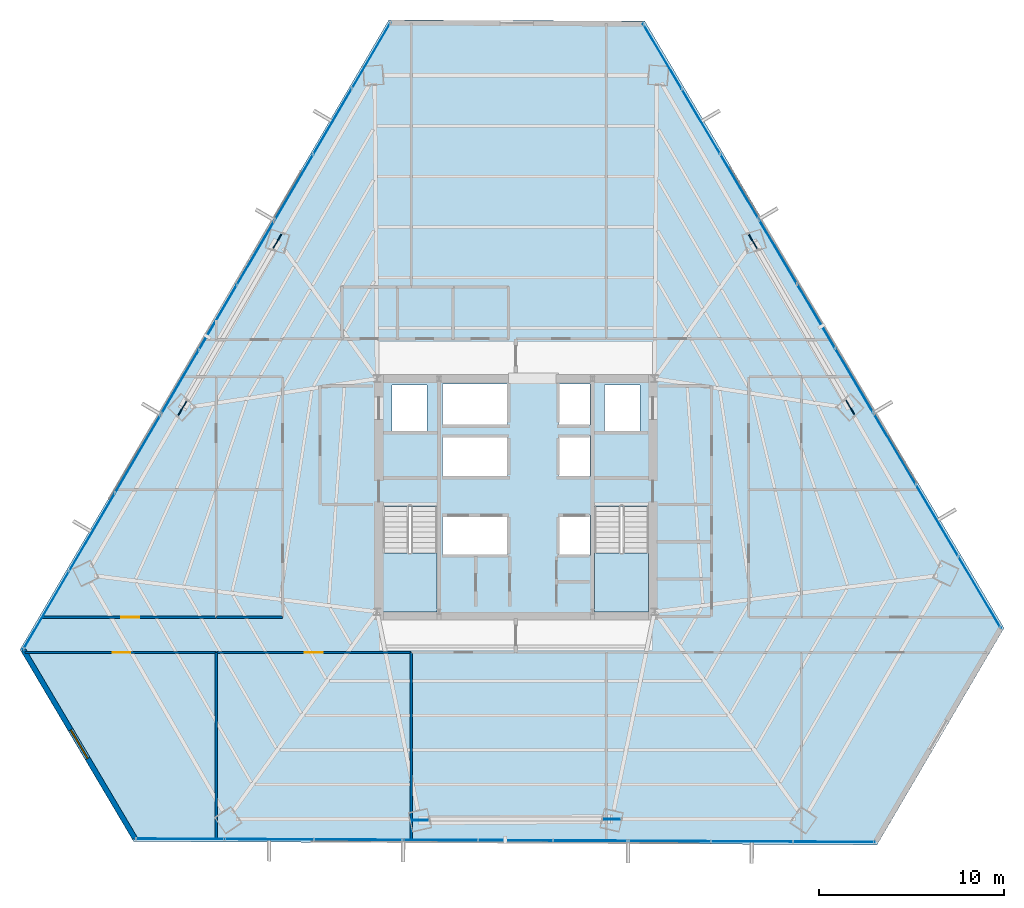
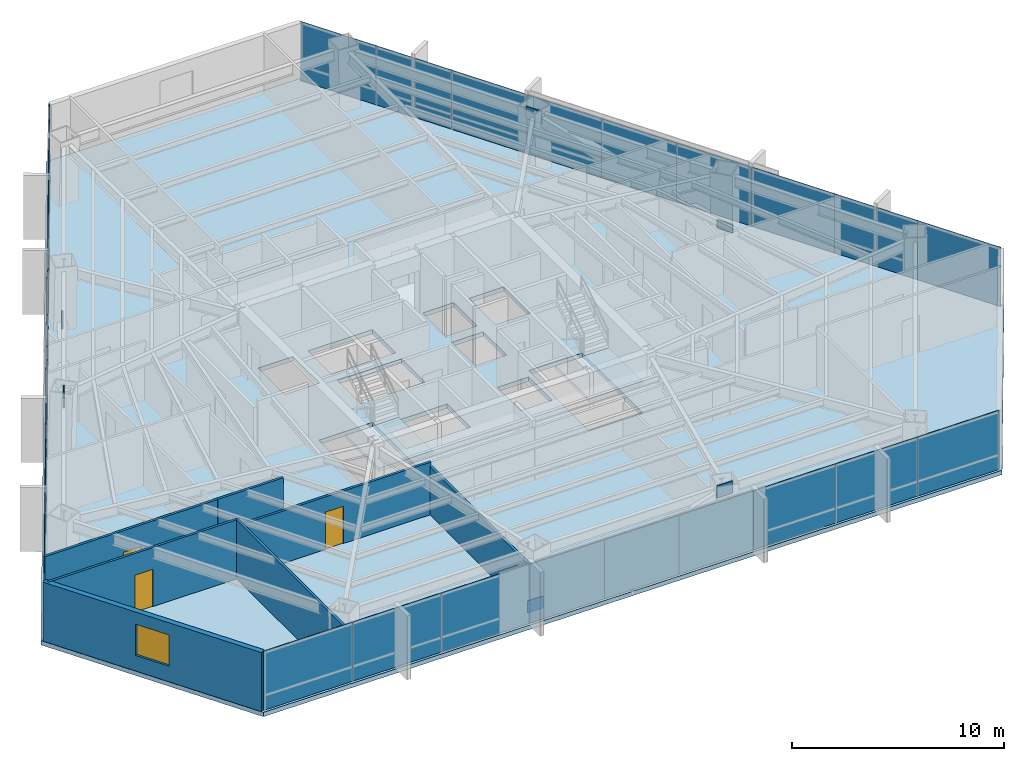
# One storey, part 29 of 35: 33 plates, 7 walls, 3 doors, 3 slabs, 1 window, 4 openings, 11 elements without a shape of their own.
"""IFC4 building model written with IfcOpenShell, lengths in metres."""

from ifc_helpers import new_model, si_unit, direction, frame, frame_2d, origin, origin_2d, place, context, subcontext, project, spatial, polyline, rectangle, outline, extrude, source, transform, mapped, material, layer, layer_set, type_object, type_shapes, element, fill, aggregate, save


model = new_model("IFC4")

# Units and contexts
model_context = context("Model", 3, precision=1e-05, world=origin(), true_north=direction((0.0, 1.0)))
body_context = subcontext(model_context, "Body", "Model", "MODEL_VIEW")
ifc_project = project(units=[si_unit("LENGTHUNIT", "METRE"), si_unit("AREAUNIT", "SQUARE_METRE"), si_unit("VOLUMEUNIT", "CUBIC_METRE"), si_unit("PLANEANGLEUNIT", "RADIAN"), si_unit("MASSUNIT", "GRAM", prefix="KILO")], contexts=[model_context])

# Site, building, storey
site_placement = place(None, origin())
site = spatial("IfcSite", under=ifc_project, at=site_placement, CompositionType="ELEMENT")
building_placement = place(site_placement, origin())
building = spatial("IfcBuilding", under=site, at=building_placement, Name="Caelisora Broadcast Tower", CompositionType="ELEMENT")
storey_placement = place(building_placement, frame((0.0, 0.0, 94.449951171875)))
storey = spatial("IfcBuildingStorey", under=building, at=storey_placement, Name="L24", CompositionType="ELEMENT", Elevation=94.449951171875)

# Slab
ifc_material_1 = material(Name="Concrete 40 MPa (AS 3600 N40)", Category="concrete")
ifc_layer_1 = layer(ifc_material_1, 0.25, Name="Concrete 40 MPa (AS 3600 N40)")
ifc_layer_set_1 = layer_set([ifc_layer_1], Name="Concrete 40 MPa (AS 3600 N40)")
slab_type_1 = type_object("IfcSlabType", Name="SL04", PredefinedType="FLOOR", material=ifc_layer_set_1)
slab_1_placement = place(storey_placement, frame((0.0, 0.0, -0.25)))
element("IfcSlab", 1, at=slab_1_placement, inside=storey, type_object=slab_type_1, Name="L24 suspended floor SL04", PredefinedType="FLOOR", context=body_context, shape_type="SweptSolid", body=[
    extrude(outline(polyline([(44.971923828125, 49.321044921875), (31.136962890625, 49.384033203125), (11.2041015625, 15.35595703125), (17.342041015625, 4.986083984375), (57.52197265625, 4.803955078125), (64.385009765625, 16.52001953125), (44.971923828125, 49.321044921875)]), holes=[polyline([(30.820068359375, 17.39990234375), (33.739990234375, 17.39990234375), (33.739990234375, 23.080078125), (30.820068359375, 23.080078125), (30.820068359375, 17.39990234375)]), polyline([(42.260009765625, 17.39990234375), (45.179931640625, 17.39990234375), (45.179931640625, 23.080078125), (42.260009765625, 23.080078125), (42.260009765625, 17.39990234375)]), polyline([(42.800048828125, 27.14990234375), (44.699951171875, 27.14990234375), (44.699951171875, 29.64990234375), (42.800048828125, 29.64990234375), (42.800048828125, 27.14990234375)]), polyline([(40.300048828125, 20.429931640625), (42.0, 20.429931640625), (42.0, 22.6298828125), (40.300048828125, 22.6298828125), (40.300048828125, 20.429931640625)]), polyline([(40.300048828125, 24.719970703125), (42.0, 24.719970703125), (42.0, 26.919921875), (40.300048828125, 26.919921875), (40.300048828125, 24.719970703125)]), polyline([(40.300048828125, 27.5), (42.0, 27.5), (42.0, 29.699951171875), (40.300048828125, 29.699951171875), (40.300048828125, 27.5)]), polyline([(34.050048828125, 20.429931640625), (37.550048828125, 20.429931640625), (37.550048828125, 22.6298828125), (34.050048828125, 22.6298828125), (34.050048828125, 20.429931640625)]), polyline([(34.050048828125, 24.719970703125), (37.550048828125, 24.719970703125), (37.550048828125, 26.919921875), (34.050048828125, 26.919921875), (34.050048828125, 24.719970703125)]), polyline([(34.050048828125, 27.5), (37.550048828125, 27.5), (37.550048828125, 29.699951171875), (34.050048828125, 29.699951171875), (34.050048828125, 27.5)]), polyline([(31.300048828125, 27.14990234375), (33.199951171875, 27.14990234375), (33.199951171875, 29.64990234375), (31.300048828125, 29.64990234375), (31.300048828125, 27.14990234375)])]), origin(), (0.0, 0.0, 1.0), 0.25),
])

# Stair, slab
stair_type_1 = type_object("IfcStairType", Name="ST-1", PredefinedType="HALF_TURN_STAIR", material=ifc_material_1)
stair_1_placement = place(storey_placement, origin())
stair_1 = element("IfcStair", 2, at=stair_1_placement, inside=storey, type_object=stair_type_1, Name="L24 West Fire-Isolated Tower Stair", PredefinedType="HALF_TURN_STAIR")
ifc_layer_2 = layer(ifc_material_1, 0.199951171875, Name="Concrete 40 MPa (AS 3600 N40)")
ifc_layer_set_2 = layer_set([ifc_layer_2], Name="Concrete 40 MPa (AS 3600 N40)")
slab_type_2 = type_object("IfcSlabType", Name="STL-1", PredefinedType="LANDING", material=ifc_layer_set_2)
slab_2_placement = place(storey_placement, frame((0.0, 0.0, 1.625)))
slab_2 = element("IfcSlab", 3, at=slab_2_placement, type_object=slab_type_2, Name="ST-1 landing 1", PredefinedType="LANDING", context=body_context, shape_type="SweptSolid", body=[
    extrude(outline(polyline([(30.820068359375, 20.580078125), (30.820068359375, 17.39990234375), (33.739990234375, 17.39990234375), (33.739990234375, 20.580078125), (30.820068359375, 20.580078125)])), origin(), (0.0, 0.0, 1.0), 0.199951171875),
])
aggregate(stair_1, [slab_2])

stair_type_2 = type_object("IfcStairType", Name="ST-2", PredefinedType="HALF_TURN_STAIR", material=ifc_material_1)
stair_2_placement = place(storey_placement, origin())
stair_2 = element("IfcStair", 4, at=stair_2_placement, inside=storey, type_object=stair_type_2, Name="L24 East Fire-Isolated Tower Stair", PredefinedType="HALF_TURN_STAIR")
slab_3_placement = place(storey_placement, frame((0.0, 0.0, 1.625)))
slab_3 = element("IfcSlab", 5, at=slab_3_placement, type_object=slab_type_2, Name="ST-2 landing 1", PredefinedType="LANDING", context=body_context, shape_type="SweptSolid", body=[
    extrude(outline(polyline([(42.260009765625, 20.580078125), (42.260009765625, 17.39990234375), (45.179931640625, 17.39990234375), (45.179931640625, 20.580078125), (42.260009765625, 20.580078125)])), origin(), (0.0, 0.0, 1.0), 0.199951171875),
])
aggregate(stair_2, [slab_3])

# Plates
ifc_material_2 = material(Name="Steel Grade 350 L15 (AS/NZS 3678)", Category="steel")
ifc_layer_3 = layer(ifc_material_2, 0.050048828125, Name="Steel Grade 350 L15 (AS/NZS 3678)")
ifc_layer_set_3 = layer_set([ifc_layer_3], Name="Steel Grade 350 L15 (AS/NZS 3678)")
plate_type_1 = type_object("IfcPlateType", Name="GP03", PredefinedType="USERDEFINED", material=ifc_layer_set_3)
shared_shape_1 = source(origin(), body_context, "Body", "SweptSolid", [
    extrude(rectangle(XDim=0.85009765625, YDim=0.050048828125, at=origin_2d()), origin(), (0.0, 0.0, 1.0), 0.699951171875),
])
type_shapes(plate_type_1, [shared_shape_1])
for number, where, z_axis, x_axis, name in (
    (6, (25.10791015625, 37.421875, -0.22998046875), (0.0, 0.0, 1.0), (-0.5, -0.866025403784, 0.0), "L24 gusset plate GP03 (ND-L24-C02B)"),
    (7, (19.984619140625, 28.40380859375, 2.72998046875), (0.0, 0.0, 1.0), (-0.5, -0.866025403784, 0.0), "L24 gusset plate GP03 (ND-L24-C03T)"),
    (8, (32.822509765625, 6.1240234375, -0.22998046875), (0.0, 0.0, 1.0), (1.0, 0.0, 0.0), "L24 gusset plate GP03 (ND-L24-C06B)"),
    (9, (43.194091796875, 6.1962890625, 2.72998046875), (0.0, 0.0, 1.0), (1.0, 0.0, 0.0), "L24 gusset plate GP03 (ND-L24-C07T)"),
    (10, (56.069580078125, 28.4541015625, -0.22998046875), (0.0, 0.0, 1.0), (-0.5, 0.866025403784, 0.0), "L24 gusset plate GP03 (ND-L24-C10B)"),
    (11, (50.8212890625, 37.39990234375, 2.72998046875), (0.0, 0.0, 1.0), (-0.5, 0.866025403784, 0.0), "L24 gusset plate GP03 (ND-L24-C11T)"),
):
    element("IfcPlate", number, at=place(storey_placement, frame(where, z_axis=z_axis, x_axis=x_axis)), inside=storey, type_object=plate_type_1, Name=name, ObjectType="GUSSET PLATE", PredefinedType="USERDEFINED", context=body_context, shape_type="MappedRepresentation", body=[
        mapped(shared_shape_1, transform((0.0, 0.0, 0.0), scale=1.0)),
    ])

# Curtain wall, plates
ifc_material_3 = material(Name="Unitised Aluminium and Low-E Glass Curtain Wall", Category="glass")
curtain_wall_type_1 = type_object("IfcCurtainWallType", Name="CW-Z2", PredefinedType="NOTDEFINED", material=ifc_material_3)
curtain_wall_1_placement = place(storey_placement, origin())
curtain_wall_1 = element("IfcCurtainWall", 12, at=curtain_wall_1_placement, inside=storey, type_object=curtain_wall_type_1, Name="L24 curtain wall CW-Z2", PredefinedType="NOTDEFINED")
ifc_material_4 = material(Name="Double Glazed Low-E Argon IGU", Category="glass")
ifc_layer_4 = layer(ifc_material_4, 0.033935546875, Name="Double Glazed Low-E Argon IGU")
ifc_layer_set_4 = layer_set([ifc_layer_4], Name="Double Glazed Low-E Argon IGU")
plate_type_2 = type_object("IfcPlateType", Name="CWP-03", PredefinedType="CURTAIN_PANEL", material=ifc_layer_set_4)
shared_shape_2 = source(origin(), body_context, "Body", "SweptSolid", [
    extrude(rectangle(XDim=4.08837890625, YDim=0.033935546875, at=origin_2d()), origin(), (0.0, 0.0, 1.0), 3.39990234375),
])
plate_1_placement = place(storey_placement, frame((45.92724609375, 47.411865234375, 0.0), z_axis=(0.0, 0.0, 1.0), x_axis=(0.509341840379, -0.860564285593, 0.0)))
plate_1 = element("IfcPlate", 13, at=plate_1_placement, type_object=plate_type_2, Name="L24-CW-B01 glazed panel #1", PredefinedType="CURTAIN_PANEL", context=body_context, shape_type="MappedRepresentation", body=[
    mapped(shared_shape_2, transform((0.0, 0.0, 0.0), scale=1.0)),
])
plate_2_placement = place(storey_placement, frame((48.009521484375, 43.8935546875, 0.0), z_axis=(0.0, 0.0, 1.0), x_axis=(0.509341840379, -0.860564285593, 0.0)))
plate_2 = element("IfcPlate", 14, at=plate_2_placement, type_object=plate_type_2, Name="L24-CW-B01 glazed panel #2", PredefinedType="CURTAIN_PANEL", context=body_context, shape_type="MappedRepresentation", body=[
    mapped(shared_shape_2, transform((0.0, 0.0, 0.0), scale=1.0)),
])
plate_3_placement = place(storey_placement, frame((50.091796875, 40.375244140625, 0.0), z_axis=(0.0, 0.0, 1.0), x_axis=(0.509341840379, -0.860564285593, 0.0)))
plate_3 = element("IfcPlate", 15, at=plate_3_placement, type_object=plate_type_2, Name="L24-CW-B01 glazed panel #3", PredefinedType="CURTAIN_PANEL", context=body_context, shape_type="MappedRepresentation", body=[
    mapped(shared_shape_2, transform((0.0, 0.0, 0.0), scale=1.0)),
])
aggregate(curtain_wall_1, [plate_1, plate_2, plate_3])

ifc_material_5 = material(Name="Unitised Aluminium Insulated Shadow-Box Spandrel Curtain Wall", Category="aluminium")
curtain_wall_type_2 = type_object("IfcCurtainWallType", Name="CW-SP1", PredefinedType="NOTDEFINED", material=ifc_material_5)
curtain_wall_2_placement = place(storey_placement, origin())
curtain_wall_2 = element("IfcCurtainWall", 16, at=curtain_wall_2_placement, inside=storey, type_object=curtain_wall_type_2, Name="L24 curtain wall CW-SP1", PredefinedType="NOTDEFINED")
ifc_material_6 = material(Name="Insulated Terracotta Shadow-Box Spandrel Panel", Category="aluminium")
ifc_layer_5 = layer(ifc_material_6, 0.0439453125, Name="Insulated Terracotta Shadow-Box Spandrel Panel")
ifc_layer_set_5 = layer_set([ifc_layer_5], Name="Insulated Terracotta Shadow-Box Spandrel Panel")
plate_type_3 = type_object("IfcPlateType", Name="CWP-10", PredefinedType="CURTAIN_PANEL", material=ifc_layer_set_5)
shared_shape_3 = source(origin(), body_context, "Body", "SweptSolid", [
    extrude(rectangle(XDim=4.048095703125, YDim=0.0439453125, at=origin_2d()), origin(), (0.0, 0.0, 1.0), 3.39990234375),
])
plate_4_placement = place(storey_placement, frame((52.169189453125, 36.865478515625, 0.0), z_axis=(0.0, 0.0, 1.0), x_axis=(0.509341840379, -0.860564285593, 0.0)))
plate_4 = element("IfcPlate", 17, at=plate_4_placement, type_object=plate_type_3, Name="L24-CW-B02 spandrel panel #1", PredefinedType="CURTAIN_PANEL", context=body_context, shape_type="MappedRepresentation", body=[
    mapped(shared_shape_3, transform((0.0, 0.0, 0.0), scale=1.0)),
])
plate_5_placement = place(storey_placement, frame((54.23095703125, 33.3818359375, 0.0), z_axis=(0.0, 0.0, 1.0), x_axis=(0.509341840379, -0.860564285593, 0.0)))
plate_5 = element("IfcPlate", 18, at=plate_5_placement, type_object=plate_type_3, Name="L24-CW-B02 spandrel panel #2", PredefinedType="CURTAIN_PANEL", context=body_context, shape_type="MappedRepresentation", body=[
    mapped(shared_shape_3, transform((0.0, 0.0, 0.0), scale=1.0)),
])
plate_6_placement = place(storey_placement, frame((56.29296875, 29.898193359375, 0.0), z_axis=(0.0, 0.0, 1.0), x_axis=(0.509341840379, -0.860564285593, 0.0)))
plate_6 = element("IfcPlate", 19, at=plate_6_placement, type_object=plate_type_3, Name="L24-CW-B02 spandrel panel #3", PredefinedType="CURTAIN_PANEL", context=body_context, shape_type="MappedRepresentation", body=[
    mapped(shared_shape_3, transform((0.0, 0.0, 0.0), scale=1.0)),
])
aggregate(curtain_wall_2, [plate_4, plate_5, plate_6])

curtain_wall_3_placement = place(storey_placement, origin())
curtain_wall_3 = element("IfcCurtainWall", 20, at=curtain_wall_3_placement, inside=storey, type_object=curtain_wall_type_1, Name="L24 curtain wall CW-Z2", PredefinedType="NOTDEFINED")
shared_shape_4 = source(origin(), body_context, "Body", "SweptSolid", [
    extrude(rectangle(XDim=4.50390625, YDim=0.033935546875, at=origin_2d()), origin(), (0.0, 0.0, 1.0), 3.39990234375),
])
plate_7_placement = place(storey_placement, frame((58.47607421875, 26.209716796875, 0.0), z_axis=(0.0, 0.0, 1.0), x_axis=(0.509341840379, -0.860564285593, 0.0)))
plate_7 = element("IfcPlate", 21, at=plate_7_placement, type_object=plate_type_2, Name="L24-CW-B03 glazed panel #1", PredefinedType="CURTAIN_PANEL", context=body_context, shape_type="MappedRepresentation", body=[
    mapped(shared_shape_4, transform((0.0, 0.0, 0.0), scale=1.0)),
])
plate_8_placement = place(storey_placement, frame((60.77001953125, 22.333740234375, 0.0), z_axis=(0.0, 0.0, 1.0), x_axis=(0.509341840379, -0.860564285593, 0.0)))
plate_8 = element("IfcPlate", 22, at=plate_8_placement, type_object=plate_type_2, Name="L24-CW-B03 glazed panel #2", PredefinedType="CURTAIN_PANEL", context=body_context, shape_type="MappedRepresentation", body=[
    mapped(shared_shape_4, transform((0.0, 0.0, 0.0), scale=1.0)),
])
plate_9_placement = place(storey_placement, frame((63.06396484375, 18.4580078125, 0.0), z_axis=(0.0, 0.0, 1.0), x_axis=(0.509341840379, -0.860564285593, 0.0)))
plate_9 = element("IfcPlate", 23, at=plate_9_placement, type_object=plate_type_2, Name="L24-CW-B03 glazed panel #3", PredefinedType="CURTAIN_PANEL", context=body_context, shape_type="MappedRepresentation", body=[
    mapped(shared_shape_4, transform((0.0, 0.0, 0.0), scale=1.0)),
])
aggregate(curtain_wall_3, [plate_7, plate_8, plate_9])

curtain_wall_4_placement = place(storey_placement, origin())
curtain_wall_4 = element("IfcCurtainWall", 24, at=curtain_wall_4_placement, inside=storey, type_object=curtain_wall_type_1, Name="L24 curtain wall CW-Z2", PredefinedType="NOTDEFINED")
shared_shape_5 = source(origin(), body_context, "Body", "SweptSolid", [
    extrude(rectangle(XDim=4.452880859375, YDim=0.033935546875, at=origin_2d()), origin(), (0.0, 0.0, 1.0), 3.39990234375),
])
plate_10_placement = place(storey_placement, frame((55.209716796875, 4.964111328125, 0.0), z_axis=(0.0, 0.0, 1.0), x_axis=(-0.999989703949, 0.004537840481, 0.0)))
plate_10 = element("IfcPlate", 25, at=plate_10_placement, type_object=plate_type_2, Name="L24-CW-B05 glazed panel #1", PredefinedType="CURTAIN_PANEL", context=body_context, shape_type="MappedRepresentation", body=[
    mapped(shared_shape_5, transform((0.0, 0.0, 0.0), scale=1.0)),
])
plate_11_placement = place(storey_placement, frame((50.7568359375, 4.984375, 0.0), z_axis=(0.0, 0.0, 1.0), x_axis=(-0.999989703949, 0.004537840481, 0.0)))
plate_11 = element("IfcPlate", 26, at=plate_11_placement, type_object=plate_type_2, Name="L24-CW-B05 glazed panel #2", PredefinedType="CURTAIN_PANEL", context=body_context, shape_type="MappedRepresentation", body=[
    mapped(shared_shape_5, transform((0.0, 0.0, 0.0), scale=1.0)),
])
plate_12_placement = place(storey_placement, frame((46.303955078125, 5.004638671875, 0.0), z_axis=(0.0, 0.0, 1.0), x_axis=(-0.999989703949, 0.004537840481, 0.0)))
plate_12 = element("IfcPlate", 27, at=plate_12_placement, type_object=plate_type_2, Name="L24-CW-B05 glazed panel #3", PredefinedType="CURTAIN_PANEL", context=body_context, shape_type="MappedRepresentation", body=[
    mapped(shared_shape_5, transform((0.0, 0.0, 0.0), scale=1.0)),
])
aggregate(curtain_wall_4, [plate_10, plate_11, plate_12])

curtain_wall_5_placement = place(storey_placement, origin())
curtain_wall_5 = element("IfcCurtainWall", 28, at=curtain_wall_5_placement, inside=storey, type_object=curtain_wall_type_2, Name="L24 curtain wall CW-SP1", PredefinedType="NOTDEFINED")
shared_shape_6 = source(origin(), body_context, "Body", "SweptSolid", [
    extrude(rectangle(XDim=4.04833984375, YDim=0.0439453125, at=origin_2d()), origin(), (0.0, 0.0, 1.0), 3.39990234375),
])
type_shapes(plate_type_3, [shared_shape_3, shared_shape_6])
plate_13_placement = place(storey_placement, frame((42.04345703125, 5.02392578125, 0.0), z_axis=(0.0, 0.0, 1.0), x_axis=(-0.999989703949, 0.004537840481, 0.0)))
plate_13 = element("IfcPlate", 29, at=plate_13_placement, type_object=plate_type_3, Name="L24-CW-B06 spandrel panel #1", PredefinedType="CURTAIN_PANEL", context=body_context, shape_type="MappedRepresentation", body=[
    mapped(shared_shape_6, transform((0.0, 0.0, 0.0), scale=1.0)),
])
plate_14_placement = place(storey_placement, frame((37.9951171875, 5.04248046875, 0.0), z_axis=(0.0, 0.0, 1.0), x_axis=(-0.999989703949, 0.004537840481, 0.0)))
plate_14 = element("IfcPlate", 30, at=plate_14_placement, type_object=plate_type_3, Name="L24-CW-B06 spandrel panel #2", PredefinedType="CURTAIN_PANEL", context=body_context, shape_type="MappedRepresentation", body=[
    mapped(shared_shape_6, transform((0.0, 0.0, 0.0), scale=1.0)),
])
plate_15_placement = place(storey_placement, frame((33.94677734375, 5.060791015625, 0.0), z_axis=(0.0, 0.0, 1.0), x_axis=(-0.999989703949, 0.004537840481, 0.0)))
plate_15 = element("IfcPlate", 31, at=plate_15_placement, type_object=plate_type_3, Name="L24-CW-B06 spandrel panel #3", PredefinedType="CURTAIN_PANEL", context=body_context, shape_type="MappedRepresentation", body=[
    mapped(shared_shape_6, transform((0.0, 0.0, 0.0), scale=1.0)),
])
aggregate(curtain_wall_5, [plate_13, plate_14, plate_15])

curtain_wall_6_placement = place(storey_placement, origin())
curtain_wall_6 = element("IfcCurtainWall", 32, at=curtain_wall_6_placement, inside=storey, type_object=curtain_wall_type_2, Name="L24 curtain wall CW-SP1", PredefinedType="NOTDEFINED")
plate_16_placement = place(storey_placement, frame((19.845947265625, 29.81201171875, 0.0), z_axis=(0.0, 0.0, 1.0), x_axis=(0.505431492718, 0.862866737202, 0.0)))
plate_16 = element("IfcPlate", 33, at=plate_16_placement, type_object=plate_type_3, Name="L24-CW-B10 spandrel panel #1", PredefinedType="CURTAIN_PANEL", context=body_context, shape_type="MappedRepresentation", body=[
    mapped(shared_shape_6, transform((0.0, 0.0, 0.0), scale=1.0)),
])
plate_17_placement = place(storey_placement, frame((21.89208984375, 33.30517578125, 0.0), z_axis=(0.0, 0.0, 1.0), x_axis=(0.505431492718, 0.862866737202, 0.0)))
plate_17 = element("IfcPlate", 34, at=plate_17_placement, type_object=plate_type_3, Name="L24-CW-B10 spandrel panel #2", PredefinedType="CURTAIN_PANEL", context=body_context, shape_type="MappedRepresentation", body=[
    mapped(shared_shape_6, transform((0.0, 0.0, 0.0), scale=1.0)),
])
plate_18_placement = place(storey_placement, frame((23.9384765625, 36.798095703125, 0.0), z_axis=(0.0, 0.0, 1.0), x_axis=(0.505431492718, 0.862866737202, 0.0)))
plate_18 = element("IfcPlate", 35, at=plate_18_placement, type_object=plate_type_3, Name="L24-CW-B10 spandrel panel #3", PredefinedType="CURTAIN_PANEL", context=body_context, shape_type="MappedRepresentation", body=[
    mapped(shared_shape_6, transform((0.0, 0.0, 0.0), scale=1.0)),
])
aggregate(curtain_wall_6, [plate_16, plate_17, plate_18])

curtain_wall_7_placement = place(storey_placement, origin())
curtain_wall_7 = element("IfcCurtainWall", 36, at=curtain_wall_7_placement, inside=storey, type_object=curtain_wall_type_1, Name="L24 curtain wall CW-Z2", PredefinedType="NOTDEFINED")
shared_shape_7 = source(origin(), body_context, "Body", "SweptSolid", [
    extrude(rectangle(XDim=4.828125, YDim=0.033935546875, at=origin_2d()), origin(), (0.0, 0.0, 1.0), 3.39990234375),
])
plate_19_placement = place(storey_placement, frame((29.49853515625, 5.0810546875, 0.0), z_axis=(0.0, 0.0, 1.0), x_axis=(-0.999989703949, 0.004537840481, 0.0)))
plate_19 = element("IfcPlate", 37, at=plate_19_placement, type_object=plate_type_2, Name="L24-CW-B07 glazed panel #1", PredefinedType="CURTAIN_PANEL", context=body_context, shape_type="MappedRepresentation", body=[
    mapped(shared_shape_7, transform((0.0, 0.0, 0.0), scale=1.0)),
])
plate_20_placement = place(storey_placement, frame((24.67041015625, 5.10302734375, 0.0), z_axis=(0.0, 0.0, 1.0), x_axis=(-0.999989703949, 0.004537840481, 0.0)))
plate_20 = element("IfcPlate", 38, at=plate_20_placement, type_object=plate_type_2, Name="L24-CW-B07 glazed panel #2", PredefinedType="CURTAIN_PANEL", context=body_context, shape_type="MappedRepresentation", body=[
    mapped(shared_shape_7, transform((0.0, 0.0, 0.0), scale=1.0)),
])
plate_21_placement = place(storey_placement, frame((19.842041015625, 5.125, 0.0), z_axis=(0.0, 0.0, 1.0), x_axis=(-0.999989703949, 0.004537840481, 0.0)))
plate_21 = element("IfcPlate", 39, at=plate_21_placement, type_object=plate_type_2, Name="L24-CW-B07 glazed panel #3", PredefinedType="CURTAIN_PANEL", context=body_context, shape_type="MappedRepresentation", body=[
    mapped(shared_shape_7, transform((0.0, 0.0, 0.0), scale=1.0)),
])
aggregate(curtain_wall_7, [plate_19, plate_20, plate_21])

curtain_wall_8_placement = place(storey_placement, origin())
curtain_wall_8 = element("IfcCurtainWall", 40, at=curtain_wall_8_placement, inside=storey, type_object=curtain_wall_type_1, Name="L24 curtain wall CW-Z2", PredefinedType="NOTDEFINED")
shared_shape_8 = source(origin(), body_context, "Body", "SweptSolid", [
    extrude(rectangle(XDim=4.906494140625, YDim=0.033935546875, at=origin_2d()), origin(), (0.0, 0.0, 1.0), 3.39990234375),
])
plate_22_placement = place(storey_placement, frame((12.617919921875, 17.472900390625, 0.0), z_axis=(0.0, 0.0, 1.0), x_axis=(0.505431492718, 0.862866737202, 0.0)))
plate_22 = element("IfcPlate", 41, at=plate_22_placement, type_object=plate_type_2, Name="L24-CW-B09 glazed panel #1", PredefinedType="CURTAIN_PANEL", context=body_context, shape_type="MappedRepresentation", body=[
    mapped(shared_shape_8, transform((0.0, 0.0, 0.0), scale=1.0)),
])
plate_23_placement = place(storey_placement, frame((15.097900390625, 21.706298828125, 0.0), z_axis=(0.0, 0.0, 1.0), x_axis=(0.505431492718, 0.862866737202, 0.0)))
plate_23 = element("IfcPlate", 42, at=plate_23_placement, type_object=plate_type_2, Name="L24-CW-B09 glazed panel #2", PredefinedType="CURTAIN_PANEL", context=body_context, shape_type="MappedRepresentation", body=[
    mapped(shared_shape_8, transform((0.0, 0.0, 0.0), scale=1.0)),
])
plate_24_placement = place(storey_placement, frame((17.577880859375, 25.93994140625, 0.0), z_axis=(0.0, 0.0, 1.0), x_axis=(0.505431492718, 0.862866737202, 0.0)))
plate_24 = element("IfcPlate", 43, at=plate_24_placement, type_object=plate_type_2, Name="L24-CW-B09 glazed panel #3", PredefinedType="CURTAIN_PANEL", context=body_context, shape_type="MappedRepresentation", body=[
    mapped(shared_shape_8, transform((0.0, 0.0, 0.0), scale=1.0)),
])
aggregate(curtain_wall_8, [plate_22, plate_23, plate_24])

curtain_wall_9_placement = place(storey_placement, origin())
curtain_wall_9 = element("IfcCurtainWall", 44, at=curtain_wall_9_placement, inside=storey, type_object=curtain_wall_type_1, Name="L24 curtain wall CW-Z2", PredefinedType="NOTDEFINED")
shared_shape_9 = source(origin(), body_context, "Body", "SweptSolid", [
    extrude(rectangle(XDim=4.126220703125, YDim=0.033935546875, at=origin_2d()), origin(), (0.0, 0.0, 1.0), 3.39990234375),
])
type_shapes(plate_type_2, [shared_shape_2, shared_shape_4, shared_shape_5, shared_shape_7, shared_shape_8, shared_shape_9])
plate_25_placement = place(storey_placement, frame((26.00927734375, 40.33349609375, 0.0), z_axis=(0.0, 0.0, 1.0), x_axis=(0.505431492718, 0.862866737202, 0.0)))
plate_25 = element("IfcPlate", 45, at=plate_25_placement, type_object=plate_type_2, Name="L24-CW-B11 glazed panel #1", PredefinedType="CURTAIN_PANEL", context=body_context, shape_type="MappedRepresentation", body=[
    mapped(shared_shape_9, transform((0.0, 0.0, 0.0), scale=1.0)),
])
plate_26_placement = place(storey_placement, frame((28.0947265625, 43.893798828125, 0.0), z_axis=(0.0, 0.0, 1.0), x_axis=(0.505431492718, 0.862866737202, 0.0)))
plate_26 = element("IfcPlate", 46, at=plate_26_placement, type_object=plate_type_2, Name="L24-CW-B11 glazed panel #2", PredefinedType="CURTAIN_PANEL", context=body_context, shape_type="MappedRepresentation", body=[
    mapped(shared_shape_9, transform((0.0, 0.0, 0.0), scale=1.0)),
])
plate_27_placement = place(storey_placement, frame((30.180419921875, 47.453857421875, 0.0), z_axis=(0.0, 0.0, 1.0), x_axis=(0.505431492718, 0.862866737202, 0.0)))
plate_27 = element("IfcPlate", 47, at=plate_27_placement, type_object=plate_type_2, Name="L24-CW-B11 glazed panel #3", PredefinedType="CURTAIN_PANEL", context=body_context, shape_type="MappedRepresentation", body=[
    mapped(shared_shape_9, transform((0.0, 0.0, 0.0), scale=1.0)),
])
aggregate(curtain_wall_9, [plate_25, plate_26, plate_27])

# Wall, opening, window
ifc_material_7 = material(Name="Insulated Terracotta Spandrel Wall System", Category="masonry")
ifc_layer_6 = layer(ifc_material_7, 0.280029296875, Name="Insulated Terracotta Spandrel Wall System")
ifc_layer_set_6 = layer_set([ifc_layer_6], Name="Insulated Terracotta Spandrel Wall System")
wall_type_1 = type_object("IfcWallType", Name="EW1", PredefinedType="STANDARD", material=ifc_layer_set_6)
wall_1_placement = place(storey_placement, frame((17.41259765625, 5.161865234375, 0.0), z_axis=(0.0, 0.0, 1.0), x_axis=(-0.509406455791, 0.86052603842, 0.0)))
wall_1 = element("IfcWall", 48, at=wall_1_placement, inside=storey, type_object=wall_type_1, Name="L24 exterior envelope wall EW1", PredefinedType="STANDARD", context=body_context, shape_type="SweptSolid", body=[
    extrude(rectangle(XDim=11.816162109375, YDim=0.280029296875, at=frame_2d((5.908203125, 0.0))), origin(), (0.0, 0.0, 1.0), 3.400146484375),
])
opening_1_placement = place(wall_1_placement, frame((5.010009765625, 0.0, 0.89990234375)))
opening_1 = element("IfcOpeningElement", 49, at=opening_1_placement, cuts=wall_1, Name="Opening W01", PredefinedType="OPENING", context=body_context, shape_type="SweptSolid", body=[
    extrude(rectangle(XDim=1.800048828125, YDim=1.800048828125, at=frame_2d((0.89990234375, 0.89990234375))), frame((0.0, 0.152099609375, 0.0), z_axis=(0.0, -1.0, 0.0), x_axis=(1.0, 0.0, 0.0)), (0.0, 0.0, 1.0), 0.303955078125),
])
ifc_material_8 = material(Name="Double Glazed Terracotta-Framed Vision Window", Category="glass")
window_type = type_object("IfcWindowType", Name="W01", PartitioningType="SINGLE_PANEL", PredefinedType="WINDOW", material=ifc_material_8)
window_placement = place(opening_1_placement, origin())
window = element("IfcWindow", 50, at=window_placement, inside=storey, type_object=window_type, Name="L24 window W01 (L24-WN-CH4)", OverallHeight=1.800048828125, OverallWidth=1.800048828125, PartitioningType="SINGLE_PANEL", PredefinedType="WINDOW", context=body_context, shape_type="SweptSolid", body=[
    extrude(rectangle(XDim=1.800048828125, YDim=1.800048828125, at=frame_2d((0.89990234375, 0.89990234375))), frame((0.0, 0.030029296875, 0.0), z_axis=(0.0, -1.0, 0.0), x_axis=(1.0, 0.0, 0.0)), (0.0, 0.0, 1.0), 0.06005859375),
])
fill(opening_1, window)

# Wall, opening, door
ifc_material_9 = material(Name="Acoustic Steel-Stud Plasterboard Partition", Category="gypsum")
ifc_layer_7 = layer(ifc_material_9, 0.1298828125, Name="Acoustic Steel-Stud Plasterboard Partition")
ifc_layer_set_7 = layer_set([ifc_layer_7], Name="Acoustic Steel-Stud Plasterboard Partition")
wall_type_2 = type_object("IfcWallType", Name="PW3", PredefinedType="PARTITIONING", material=ifc_layer_set_7)
wall_2_placement = place(storey_placement, frame((21.81494140625, 15.199951171875, 0.0), z_axis=(0.0, 0.0, 1.0), x_axis=(1.0, 0.0, 0.0)))
wall_2 = element("IfcWall", 51, at=wall_2_placement, inside=storey, type_object=wall_type_2, Name="L24 internal partition PW3", PredefinedType="PARTITIONING", context=body_context, shape_type="SweptSolid", body=[
    extrude(rectangle(XDim=10.530029296875, YDim=0.1298828125, at=frame_2d((5.26513671875, 0.0))), origin(), (0.0, 0.0, 1.0), 3.0263671875),
])
opening_2_placement = place(wall_2_placement, frame((4.784912109375, 0.0, 0.0)))
opening_2 = element("IfcOpeningElement", 52, at=opening_2_placement, cuts=wall_2, Name="Opening D01", PredefinedType="OPENING", context=body_context, shape_type="SweptSolid", body=[
    extrude(rectangle(XDim=0.9599609375, YDim=2.14990234375, at=frame_2d((0.47998046875, 1.074951171875))), frame((0.0, 0.076904296875, 0.0), z_axis=(0.0, -1.0, 0.0), x_axis=(1.0, 0.0, 0.0)), (0.0, 0.0, 1.0), 0.15380859375),
])
ifc_material_10 = material(Name="Solid-Core Timber Acoustic Office Door", Category="wood")
door_type = type_object("IfcDoorType", Name="D01", OperationType="NOTDEFINED", PredefinedType="DOOR", material=ifc_material_10)
door_1_placement = place(opening_2_placement, origin())
door_1 = element("IfcDoor", 53, at=door_1_placement, inside=storey, type_object=door_type, Name="L24 door D01 (L24-DR-P33D1)", OperationType="SINGLE_SWING_LEFT", OverallHeight=2.14990234375, OverallWidth=0.9599609375, PredefinedType="DOOR", context=body_context, shape_type="SweptSolid", body=[
    extrude(rectangle(XDim=0.9599609375, YDim=2.14990234375, at=frame_2d((0.47998046875, 1.074951171875))), frame((0.0, 0.02490234375, 0.0), z_axis=(0.0, -1.0, 0.0), x_axis=(1.0, 0.0, 0.0)), (0.0, 0.0, 1.0), 0.050048828125),
])
fill(opening_2, door_1)

wall_3_placement = place(storey_placement, frame((11.46484375, 15.199951171875, 0.0), z_axis=(0.0, 0.0, 1.0), x_axis=(1.0, 0.0, 0.0)))
wall_3 = element("IfcWall", 54, at=wall_3_placement, inside=storey, type_object=wall_type_2, Name="L24 internal partition PW3", PredefinedType="PARTITIONING", context=body_context, shape_type="SweptSolid", body=[
    extrude(rectangle(XDim=10.340087890625, YDim=0.1298828125, at=frame_2d((5.169921875, 0.0))), origin(), (0.0, 0.0, 1.0), 3.400146484375),
])
opening_3_placement = place(wall_3_placement, frame((4.748046875, 0.0, 0.0)))
opening_3 = element("IfcOpeningElement", 55, at=opening_3_placement, cuts=wall_3, Name="Opening D01", PredefinedType="OPENING", context=body_context, shape_type="SweptSolid", body=[
    extrude(rectangle(XDim=0.9599609375, YDim=2.14990234375, at=frame_2d((0.47998046875, 1.074951171875))), frame((0.0, 0.076904296875, 0.0), z_axis=(0.0, -1.0, 0.0), x_axis=(1.0, 0.0, 0.0)), (0.0, 0.0, 1.0), 0.15380859375),
])
door_2_placement = place(opening_3_placement, origin())
door_2 = element("IfcDoor", 56, at=door_2_placement, inside=storey, type_object=door_type, Name="L24 door D01 (L24-DR-P35D1)", OperationType="SINGLE_SWING_LEFT", OverallHeight=2.14990234375, OverallWidth=0.9599609375, PredefinedType="DOOR", context=body_context, shape_type="SweptSolid", body=[
    extrude(rectangle(XDim=0.9599609375, YDim=2.14990234375, at=frame_2d((0.47998046875, 1.074951171875))), frame((0.0, 0.02490234375, 0.0), z_axis=(0.0, -1.0, 0.0), x_axis=(1.0, 0.0, 0.0)), (0.0, 0.0, 1.0), 0.050048828125),
])
fill(opening_3, door_2)

# Walls
wall_4_placement = place(storey_placement, frame((32.35009765625, 5.06298828125, 0.0), z_axis=(0.0, 0.0, 1.0), x_axis=(0.0, 1.0, 0.0)))
element("IfcWall", 57, at=wall_4_placement, inside=storey, type_object=wall_type_2, Name="L24 internal partition PW3", PredefinedType="PARTITIONING", context=body_context, shape_type="SweptSolid", body=[
    extrude(rectangle(XDim=10.132080078125, YDim=0.1298828125, at=frame_2d((5.06591796875, 0.0))), origin(), (0.0, 0.0, 1.0), 2.782958984375),
])
wall_5_placement = place(storey_placement, frame((21.81005859375, 5.11083984375, 0.0), z_axis=(0.0, 0.0, 1.0), x_axis=(0.0, 1.0, 0.0)))
element("IfcWall", 58, at=wall_5_placement, inside=storey, type_object=wall_type_2, Name="L24 internal partition PW3", PredefinedType="PARTITIONING", context=body_context, shape_type="SweptSolid", body=[
    extrude(rectangle(XDim=10.084228515625, YDim=0.1298828125, at=frame_2d((5.0419921875, 0.0))), origin(), (0.0, 0.0, 1.0), 3.400146484375),
])

# Wall, opening, door
wall_6_placement = place(storey_placement, frame((12.393798828125, 17.10009765625, 0.0), z_axis=(0.0, 0.0, 1.0), x_axis=(1.0, 0.0, 0.0)))
wall_6 = element("IfcWall", 59, at=wall_6_placement, inside=storey, type_object=wall_type_2, Name="L24 internal partition PW3", PredefinedType="PARTITIONING", context=body_context, shape_type="SweptSolid", body=[
    extrude(rectangle(XDim=9.4111328125, YDim=0.1298828125, at=frame_2d((4.70556640625, 0.0))), origin(), (0.0, 0.0, 1.0), 3.400146484375),
])
opening_4_placement = place(wall_6_placement, frame((4.282958984375, 0.0, 0.0)))
opening_4 = element("IfcOpeningElement", 60, at=opening_4_placement, cuts=wall_6, Name="Opening D01", PredefinedType="OPENING", context=body_context, shape_type="SweptSolid", body=[
    extrude(rectangle(XDim=0.9599609375, YDim=2.14990234375, at=frame_2d((0.47998046875, 1.074951171875))), frame((0.0, 0.076904296875, 0.0), z_axis=(0.0, -1.0, 0.0), x_axis=(1.0, 0.0, 0.0)), (0.0, 0.0, 1.0), 0.15380859375),
])
door_3_placement = place(opening_4_placement, origin())
door_3 = element("IfcDoor", 61, at=door_3_placement, inside=storey, type_object=door_type, Name="L24 door D01 (L24-DR-P41D1)", OperationType="SINGLE_SWING_LEFT", OverallHeight=2.14990234375, OverallWidth=0.9599609375, PredefinedType="DOOR", context=body_context, shape_type="SweptSolid", body=[
    extrude(rectangle(XDim=0.9599609375, YDim=2.14990234375, at=frame_2d((0.47998046875, 1.074951171875))), frame((0.0, 0.02490234375, 0.0), z_axis=(0.0, -1.0, 0.0), x_axis=(1.0, 0.0, 0.0)), (0.0, 0.0, 1.0), 0.050048828125),
])
fill(opening_4, door_3)

# Wall
wall_7_placement = place(storey_placement, frame((21.81494140625, 17.10009765625, 0.0), z_axis=(0.0, 0.0, 1.0), x_axis=(1.0, 0.0, 0.0)))
element("IfcWall", 62, at=wall_7_placement, inside=storey, type_object=wall_type_2, Name="L24 internal partition PW3", PredefinedType="PARTITIONING", context=body_context, shape_type="SweptSolid", body=[
    extrude(rectangle(XDim=3.580078125, YDim=0.1298828125, at=frame_2d((1.7900390625, 0.0))), origin(), (0.0, 0.0, 1.0), 3.400146484375),
])

save(model, "model.ifc")
